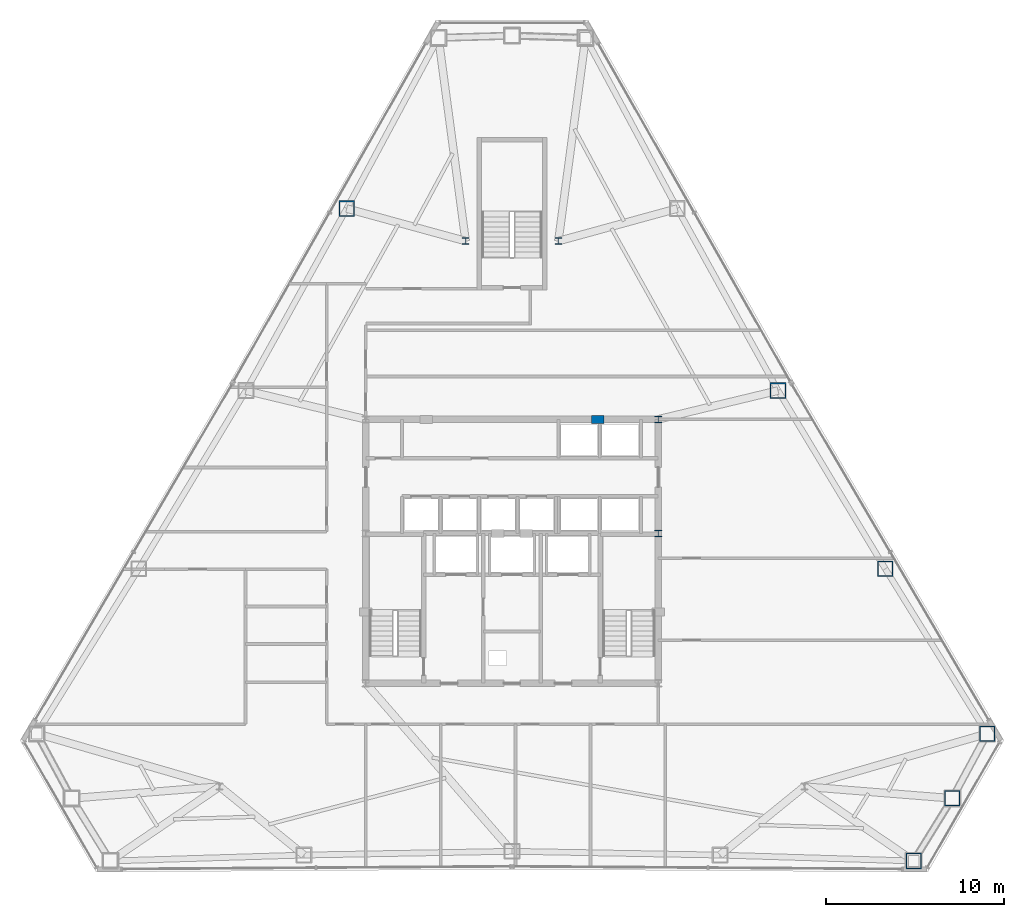
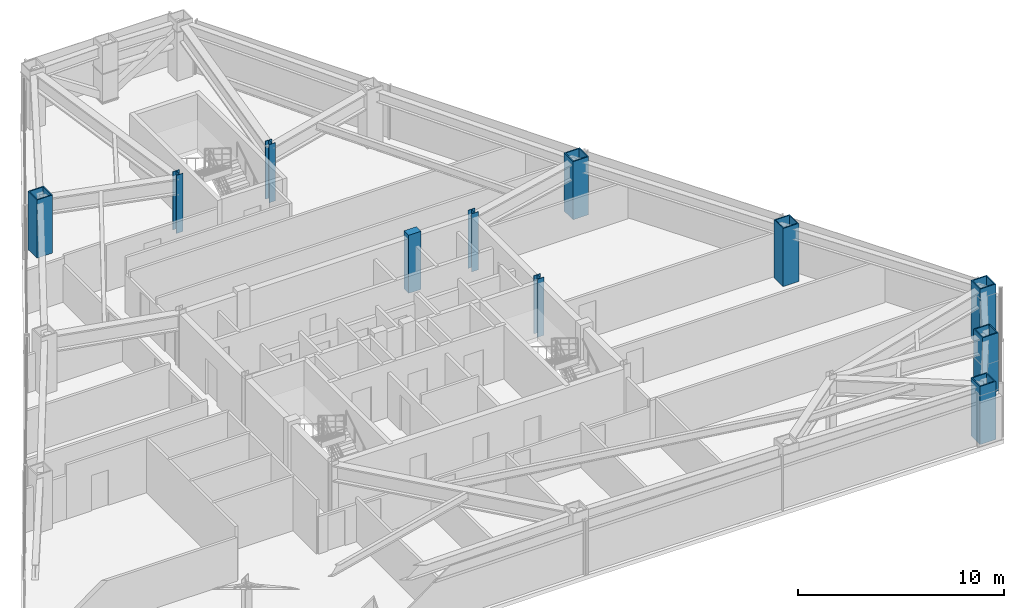
# One storey, part 2 of 13: 11 columns.
"""IFC4 building model written with IfcOpenShell, lengths in metres."""

from ifc_helpers import new_model, si_unit, direction, frame, origin, origin_2d, place, context, subcontext, project, spatial, rectangle, hollow_rectangle, i_section, extrude, material, material_profile, profile_set, type_object, element, save


model = new_model("IFC4")

# Units and contexts
model_context = context("Model", 3, precision=1e-05, world=origin(), true_north=direction((0.0, 1.0)))
body_context = subcontext(model_context, "Body", "Model", "MODEL_VIEW")
ifc_project = project(units=[si_unit("LENGTHUNIT", "METRE"), si_unit("AREAUNIT", "SQUARE_METRE"), si_unit("VOLUMEUNIT", "CUBIC_METRE"), si_unit("PLANEANGLEUNIT", "RADIAN"), si_unit("MASSUNIT", "GRAM", prefix="KILO")], contexts=[model_context])

# Site, building, storey
site_placement = place(None, origin())
site = spatial("IfcSite", under=ifc_project, at=site_placement, CompositionType="ELEMENT")
building_placement = place(site_placement, origin())
building = spatial("IfcBuilding", under=site, at=building_placement, Name="Varakhsha Concourse Tower", CompositionType="ELEMENT")
storey_placement = place(building_placement, frame((0.0, 0.0, 136.699951171875)))
storey = spatial("IfcBuildingStorey", under=building, at=storey_placement, Name="L39", CompositionType="ELEMENT", Elevation=136.699951171875)

# Columns
ifc_material_1 = material(Name="Structural Steel ASTM A992 Grade 50", Category="steel")
ifc_material_profile_1 = material_profile(ifc_material_1, i_section(OverallWidth=0.3740234375, OverallDepth=0.3720703125, WebThickness=0.01611328125, FlangeThickness=0.02587890625, at=origin_2d()), Name="W14X132")
ifc_profile_set_1 = profile_set([ifc_material_profile_1], Name="Structural Steel ASTM A992 Grade 50")
column_type_1 = type_object("IfcColumnType", Name="CL-CORE-W14X132", PredefinedType="COLUMN", material=ifc_profile_set_1)
for number, where, z_axis, x_axis, name in (
    (1, (48.199951171875, 24.800048828125, 0.0), (0.0, 0.0, 1.0), (1.0, 0.0, 0.0), "L39 Core Column CC-ME"),
    (2, (48.199951171875, 31.199951171875, 0.0), (0.0, 0.0, 1.0), (1.0, 0.0, 0.0), "L39 Core Column CC-NE"),
    (3, (37.39990234375, 41.199951171875, 0.0), (0.0, 0.0, 1.0), (1.0, 0.0, 0.0), "L39 Core Column NS-W"),
    (4, (42.60009765625, 41.199951171875, 0.0), (0.0, 0.0, 1.0), (1.0, 0.0, 0.0), "L39 Core Column NS-E"),
):
    element("IfcColumn", number, at=place(storey_placement, frame(where, z_axis=z_axis, x_axis=x_axis)), inside=storey, type_object=column_type_1, Name=name, PredefinedType="COLUMN", context=body_context, shape_type="SweptSolid", body=[
        extrude(i_section(OverallWidth=0.3740234375, OverallDepth=0.3720703125, WebThickness=0.01611328125, FlangeThickness=0.02587890625, at=origin_2d()), origin(), (0.0, 0.0, 1.0), 3.449951171875),
    ])
ifc_material_2 = material(Name="Concrete fc 65 MPa", Category="concrete")
ifc_material_profile_2 = material_profile(ifc_material_2, rectangle(XDim=0.699951171875, YDim=0.449951171875, at=origin_2d()), Name="RC 700x450")
ifc_profile_set_2 = profile_set([ifc_material_profile_2], Name="Concrete fc 65 MPa")
column_type_2 = type_object("IfcColumnType", Name="CL-PIL-700X450", PredefinedType="PILASTER", material=ifc_profile_set_2)
column_placement = place(storey_placement, frame((44.800048828125, 31.199951171875, 0.0), z_axis=(0.0, 0.0, 1.0), x_axis=(1.0, 0.0, 0.0)))
element("IfcColumn", 5, at=column_placement, inside=storey, type_object=column_type_2, Name="L39 Core Boundary Pilaster PIL-N2", PredefinedType="PILASTER", context=body_context, shape_type="SweptSolid", body=[
    extrude(rectangle(XDim=0.699951171875, YDim=0.449951171875, at=origin_2d()), origin(), (0.0, 0.0, 1.0), 3.449951171875),
])
ifc_material_3 = material(Name="Structural Steel ASTM A572 Grade 50", Category="steel")
ifc_material_profile_3 = material_profile(ifc_material_3, hollow_rectangle(XDim=0.8798828125, YDim=0.8798828125, WallThickness=0.06005859375, at=origin_2d()), Name="BOX 880x880x60")
ifc_profile_set_3 = profile_set([ifc_material_profile_3], Name="Structural Steel ASTM A572 Grade 50")
column_type_3 = type_object("IfcColumnType", Name="CL-TUBE-880", PredefinedType="COLUMN", material=ifc_profile_set_3)
for number, where, z_axis, x_axis, name in (
    (6, (30.73046875, 43.0263671875, 0.0), (0.0, 0.0, 1.0), (1.0, 0.0, 0.0), "L39 Framed-Tube Column TC04"),
    (7, (62.5322265625, 6.4267578125, 0.0), (0.0, 0.0, 1.0), (1.0, 0.0, 0.0), "L39 Framed-Tube Column TC13"),
    (8, (64.700439453125, 9.939208984375, 0.0), (0.0, 0.0, 1.0), (1.0, 0.0, 0.0), "L39 Framed-Tube Column TC14"),
    (9, (66.658203125, 13.572998046875, 0.0), (0.0, 0.0, 1.0), (1.0, 0.0, 0.0), "L39 Framed-Tube Column TC15"),
    (10, (60.93896484375, 22.814453125, 0.0), (0.0, 0.0, 1.0), (1.0, 0.0, 0.0), "L39 Framed-Tube Column TC16"),
    (11, (54.92138671875, 32.81494140625, 0.0), (0.0, 0.0, 1.0), (1.0, 0.0, 0.0), "L39 Framed-Tube Column TC17"),
):
    element("IfcColumn", number, at=place(storey_placement, frame(where, z_axis=z_axis, x_axis=x_axis)), inside=storey, type_object=column_type_3, Name=name, PredefinedType="COLUMN", context=body_context, shape_type="SweptSolid", body=[
        extrude(hollow_rectangle(XDim=0.8798828125, YDim=0.8798828125, WallThickness=0.06005859375, at=origin_2d()), origin(), (0.0, 0.0, 1.0), 3.449951171875),
    ])

save(model, "model.ifc")
